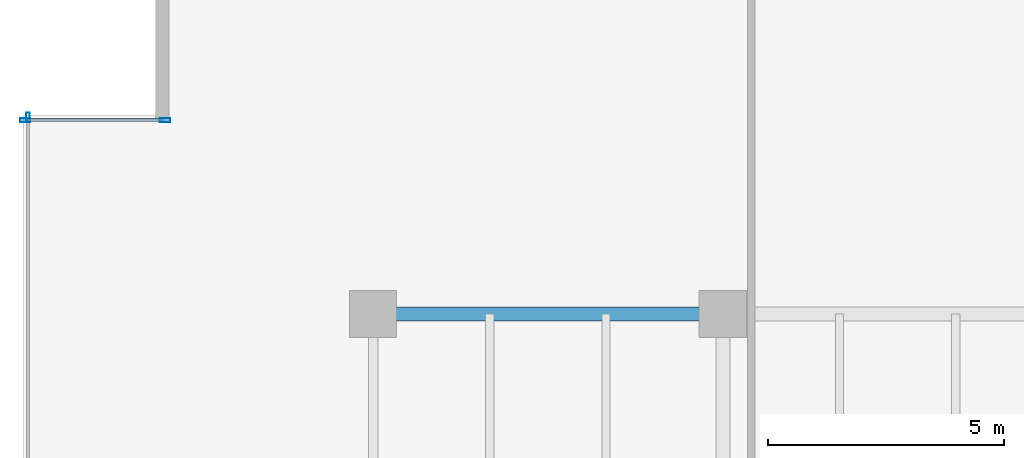
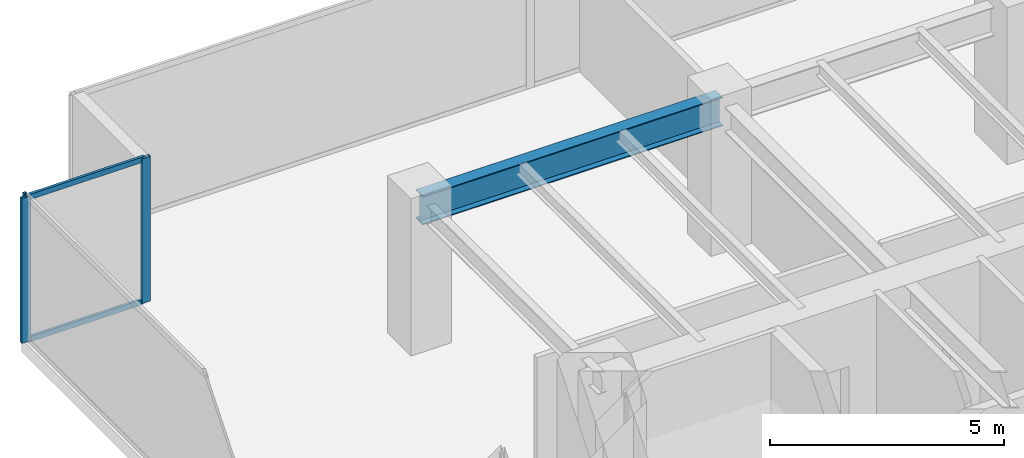
# One storey, part 12 of 35: 5 members, 1 beam, 2 elements without a shape of their own.
"""IFC4 building model written with IfcOpenShell, lengths in metres."""

from ifc_helpers import new_model, si_unit, direction, frame, origin, origin_2d, place, context, subcontext, project, spatial, hollow_rectangle, i_section, extrude, source, transform, mapped, material, layer, layer_set, material_profile, profile_set, type_object, type_shapes, element, aggregate, save


model = new_model("IFC4")

# Units and contexts
model_context = context("Model", 3, precision=1e-05, world=origin(), true_north=direction((0.0, 1.0)))
body_context = subcontext(model_context, "Body", "Model", "MODEL_VIEW")
ifc_project = project(units=[si_unit("LENGTHUNIT", "METRE"), si_unit("AREAUNIT", "SQUARE_METRE"), si_unit("VOLUMEUNIT", "CUBIC_METRE"), si_unit("PLANEANGLEUNIT", "RADIAN"), si_unit("MASSUNIT", "GRAM", prefix="KILO")], contexts=[model_context])

# Site, building, storey
site_placement = place(None, origin())
site = spatial("IfcSite", under=ifc_project, at=site_placement, CompositionType="ELEMENT")
building_placement = place(site_placement, origin())
building = spatial("IfcBuilding", under=site, at=building_placement, Name="Haelvirn Gate Laboratories", CompositionType="ELEMENT")
storey_placement = place(building_placement, frame((0.0, 0.0, 66.199951171875)))
storey = spatial("IfcBuildingStorey", under=building, at=storey_placement, Name="L16", CompositionType="ELEMENT", Elevation=66.199951171875)

# Beam
ifc_material_1 = material(Name="Steel SM355", Category="steel")
ifc_material_profile_1 = material_profile(ifc_material_1, i_section(OverallWidth=0.300048828125, OverallDepth=0.75, WebThickness=0.013916015625, FlangeThickness=0.02392578125, at=origin_2d()), Name="H-750x300x14x24")
ifc_profile_set_1 = profile_set([ifc_material_profile_1], Name="Steel SM355")
beam_type = type_object("IfcBeamType", Name="BM-G-750", PredefinedType="BEAM", material=ifc_profile_set_1)
shared_shape_1 = source(origin(), body_context, "Body", "SweptSolid", [
    extrude(i_section(OverallWidth=0.300048828125, OverallDepth=0.75, WebThickness=0.013916015625, FlangeThickness=0.02392578125, at=origin_2d()), origin(), (0.0, 0.0, 1.0), 7.400146484375),
])
type_shapes(beam_type, [shared_shape_1])
beam_placement = place(storey_placement, frame((7.39990234375, 41.60009765625, 3.405029296875), z_axis=(1.0, 0.0, 0.0), x_axis=(0.0, 1.0, 0.0)))
element("IfcBeam", 1, at=beam_placement, inside=storey, type_object=beam_type, Name="L16 Primary Girder Y41.6 (7.4-14.8)", PredefinedType="BEAM", context=body_context, shape_type="MappedRepresentation", body=[
    mapped(shared_shape_1, transform((0.0, 0.0, 0.0), scale=1.0)),
])

# Curtain wall, member
ifc_material_2 = material(Name="Anodised bronze unitised aluminium & triple low-E glass", Category="aluminium")
ifc_layer_1 = layer(ifc_material_2, 0.18408203125, Name="CW-SYS-2")
ifc_layer_set_1 = layer_set([ifc_layer_1], Name="Anodised bronze unitised aluminium & triple low-E glass")
curtain_wall_type_1 = type_object("IfcCurtainWallType", Name="CW-SYS-2", PredefinedType="NOTDEFINED", material=ifc_layer_set_1)
curtain_wall_1_placement = place(storey_placement, origin())
curtain_wall_1 = element("IfcCurtainWall", 2, at=curtain_wall_1_placement, inside=storey, type_object=curtain_wall_type_1, Name="L16 Unitised Curtain Wall CW-L16-P0-E17", PredefinedType="NOTDEFINED")
ifc_material_3 = material(Name="Extruded aluminium 6063-T6 (anodised bronze)", Category="aluminium")
ifc_material_profile_2 = material_profile(ifc_material_3, hollow_rectangle(XDim=0.074951171875, YDim=0.199951171875, WallThickness=0.0048828125, at=origin_2d()), Name="CWM-200x75x5")
ifc_profile_set_2 = profile_set([ifc_material_profile_2], Name="Extruded aluminium 6063-T6 (anodised bronze)")
member_type_1 = type_object("IfcMemberType", Name="CWM-T200", PredefinedType="MULLION", material=ifc_profile_set_2)
shared_shape_2 = source(origin(), body_context, "Body", "SweptSolid", [
    extrude(hollow_rectangle(XDim=0.074951171875, YDim=0.199951171875, WallThickness=0.0048828125, at=origin_2d()), origin(), (0.0, 0.0, 1.0), 3.780029296875),
])
type_shapes(member_type_1, [shared_shape_2])
member_1_placement = place(storey_placement, frame((0.10009765625, 45.762451171875, 0.0), z_axis=(0.0, 0.0, 1.0), x_axis=(1.0, 0.0, 0.0)))
member_1 = element("IfcMember", 3, at=member_1_placement, type_object=member_type_1, Name="CW2 mullion 1", PredefinedType="MULLION", context=body_context, shape_type="MappedRepresentation", body=[
    mapped(shared_shape_2, transform((0.0, 0.0, 0.0), scale=1.0)),
])
aggregate(curtain_wall_1, [member_1])

# Curtain wall, members
ifc_layer_2 = layer(ifc_material_2, 0.181884765625, Name="CW-SYS-5")
ifc_layer_set_2 = layer_set([ifc_layer_2], Name="Anodised bronze unitised aluminium & triple low-E glass")
curtain_wall_type_2 = type_object("IfcCurtainWallType", Name="CW-SYS-5", PredefinedType="NOTDEFINED", material=ifc_layer_set_2)
curtain_wall_2_placement = place(storey_placement, origin())
curtain_wall_2 = element("IfcCurtainWall", 4, at=curtain_wall_2_placement, inside=storey, type_object=curtain_wall_type_2, Name="L16 Unitised Curtain Wall CW-L16-P0-E16-1", PredefinedType="NOTDEFINED")
ifc_material_profile_3 = material_profile(ifc_material_3, hollow_rectangle(XDim=0.080078125, YDim=0.219970703125, WallThickness=0.006103515625, at=origin_2d()), Name="CWM-220x80x6")
ifc_profile_set_3 = profile_set([ifc_material_profile_3], Name="Extruded aluminium 6063-T6 (anodised bronze)")
member_type_2 = type_object("IfcMemberType", Name="CWM-T220", PredefinedType="MULLION", material=ifc_profile_set_3)
shared_shape_3 = source(origin(), body_context, "Body", "SweptSolid", [
    extrude(hollow_rectangle(XDim=0.080078125, YDim=0.219970703125, WallThickness=0.006103515625, at=origin_2d()), origin(), (0.0, 0.0, 1.0), 3.780029296875),
])
type_shapes(member_type_2, [shared_shape_3])
member_2_placement = place(storey_placement, frame((0.0400390625, 45.699951171875, 0.0), z_axis=(0.0, 0.0, 1.0), x_axis=(0.0, 1.0, 0.0)))
member_2 = element("IfcMember", 5, at=member_2_placement, type_object=member_type_2, Name="CW5 mullion 1", PredefinedType="MULLION", context=body_context, shape_type="MappedRepresentation", body=[
    mapped(shared_shape_3, transform((0.0, 0.0, 0.0), scale=1.0)),
])
member_3_placement = place(storey_placement, frame((3.0, 45.699951171875, 0.0), z_axis=(0.0, 0.0, 1.0), x_axis=(0.0, 1.0, 0.0)))
member_3 = element("IfcMember", 6, at=member_3_placement, type_object=member_type_2, Name="CW5 mullion 2", PredefinedType="MULLION", context=body_context, shape_type="MappedRepresentation", body=[
    mapped(shared_shape_3, transform((0.0, 0.0, 0.0), scale=1.0)),
])
ifc_material_profile_4 = material_profile(ifc_material_3, hollow_rectangle(XDim=0.06494140625, YDim=0.139892578125, WallThickness=0.00390625, at=origin_2d()), Name="CWT-140x65x4")
ifc_profile_set_4 = profile_set([ifc_material_profile_4], Name="Extruded aluminium 6063-T6 (anodised bronze)")
member_type_3 = type_object("IfcMemberType", Name="CWT-T140", PredefinedType="USERDEFINED", material=ifc_profile_set_4)
shared_shape_4 = source(origin(), body_context, "Body", "SweptSolid", [
    extrude(hollow_rectangle(XDim=0.06494140625, YDim=0.139892578125, WallThickness=0.00390625, at=origin_2d()), origin(), (0.0, 0.0, 1.0), 2.8798828125),
])
type_shapes(member_type_3, [shared_shape_4])
member_4_placement = place(storey_placement, frame((0.080078125, 45.699951171875, 0.032470703125), z_axis=(1.0, 0.0, 0.0), x_axis=(0.0, 1.0, 0.0)))
member_4 = element("IfcMember", 7, at=member_4_placement, type_object=member_type_3, Name="CW5 transom 1.1", ObjectType="TRANSOM", PredefinedType="USERDEFINED", context=body_context, shape_type="MappedRepresentation", body=[
    mapped(shared_shape_4, transform((0.0, 0.0, 0.0), scale=1.0)),
])
member_5_placement = place(storey_placement, frame((0.080078125, 45.699951171875, 3.74755859375), z_axis=(1.0, 0.0, 0.0), x_axis=(0.0, 1.0, 0.0)))
member_5 = element("IfcMember", 8, at=member_5_placement, type_object=member_type_3, Name="CW5 transom 1.2", ObjectType="TRANSOM", PredefinedType="USERDEFINED", context=body_context, shape_type="MappedRepresentation", body=[
    mapped(shared_shape_4, transform((0.0, 0.0, 0.0), scale=1.0)),
])
aggregate(curtain_wall_2, [member_2, member_3, member_4, member_5])

save(model, "model.ifc")
